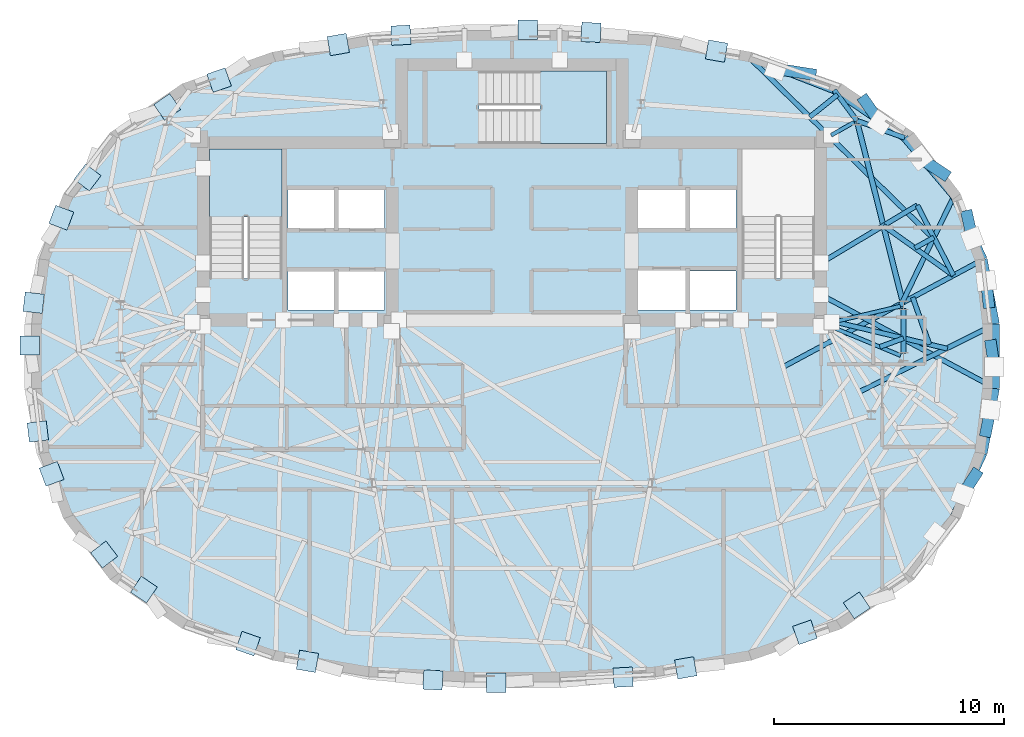
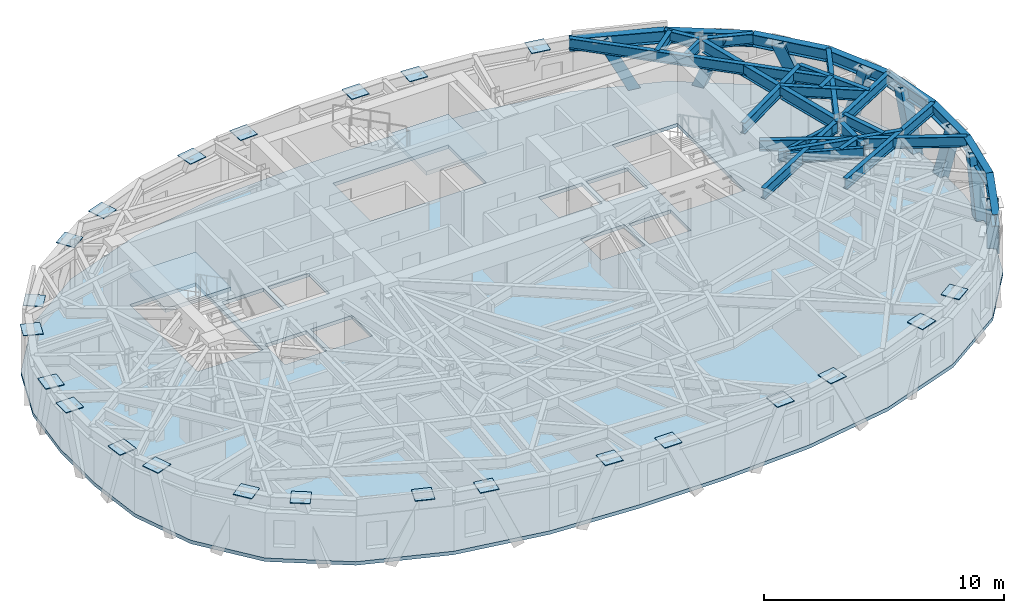
# One storey, part 4 of 12: 28 beams, 23 plates, 8 members, 3 slabs, 2 elements without a shape of their own.
"""IFC4 building model written with IfcOpenShell, lengths in metres."""

from ifc_helpers import new_model, si_unit, direction, frame, origin, origin_2d, place, context, subcontext, project, spatial, polyline, rectangle, hollow_rectangle, i_section, outline, extrude, material, layer, layer_set, material_profile, profile_set, type_object, element, aggregate, save


model = new_model("IFC4")

# Units and contexts
model_context = context("Model", 3, precision=1e-05, world=origin(), true_north=direction((0.0, 1.0)))
body_context = subcontext(model_context, "Body", "Model", "MODEL_VIEW")
ifc_project = project(units=[si_unit("LENGTHUNIT", "METRE"), si_unit("AREAUNIT", "SQUARE_METRE"), si_unit("VOLUMEUNIT", "CUBIC_METRE"), si_unit("PLANEANGLEUNIT", "RADIAN"), si_unit("MASSUNIT", "GRAM", prefix="KILO")], contexts=[model_context])

# Site, building, storey
site_placement = place(None, origin())
site = spatial("IfcSite", under=ifc_project, at=site_placement, CompositionType="ELEMENT")
building_placement = place(site_placement, origin())
building = spatial("IfcBuilding", under=site, at=building_placement, Name="Keldmark Tower", CompositionType="ELEMENT")
storey_placement = place(building_placement, frame((0.0, 0.0, 257.25)))
storey = spatial("IfcBuildingStorey", under=building, at=storey_placement, Name="L73", CompositionType="ELEMENT", Elevation=257.25)

# Members
ifc_material_1 = material(Name="Steel ASTM A572 Grade 50", Category="steel")
ifc_material_profile_1 = material_profile(ifc_material_1, hollow_rectangle(XDim=0.5, YDim=0.5, WallThickness=0.030029296875, at=origin_2d()), Name="BOX500X500X30")
ifc_profile_set_1 = profile_set([ifc_material_profile_1], Name="Steel ASTM A572 Grade 50")
member_type = type_object("IfcMemberType", Name="Diagrid Upper Brace BOX500X500X30", PredefinedType="BRACE", material=ifc_profile_set_1)
member_1_placement = place(storey_placement, frame((20.7216796875, 2.333740234375, -0.260009765625), z_axis=(-0.031693700324, 0.292463690284, 0.95575127477), x_axis=(-0.994179406341, -0.107737217371, 0.0)))
element("IfcMember", 1, at=member_1_placement, inside=storey, type_object=member_type, Name="L73 Perimeter Diagrid Brace 01A", PredefinedType="BRACE", context=body_context, shape_type="SweptSolid", body=[
    extrude(hollow_rectangle(XDim=0.5, YDim=0.5, WallThickness=0.030029296875, at=origin_2d()), origin(), (0.0, 0.0, 1.0), 3.212158203125),
])
member_2_placement = place(storey_placement, frame((19.798095703125, 6.10400390625, -0.260009765625), z_axis=(0.068042175287, -0.305849955509, 0.94964523223), x_axis=(0.976135993374, 0.217160130872, 0.0)))
element("IfcMember", 2, at=member_2_placement, inside=storey, type_object=member_type, Name="L73 Perimeter Diagrid Brace 01B", PredefinedType="BRACE", context=body_context, shape_type="SweptSolid", body=[
    extrude(hollow_rectangle(XDim=0.5, YDim=0.5, WallThickness=0.030029296875, at=origin_2d()), origin(), (0.0, 0.0, 1.0), 3.23291015625),
])
member_3_placement = place(storey_placement, frame((18.7744140625, 7.924560546875, -0.260009765625), z_axis=(-0.313342257476, 0.211373501225, 0.92581740784), x_axis=(-0.559231961887, -0.829011225982, 0.0)))
element("IfcMember", 3, at=member_3_placement, inside=storey, type_object=member_type, Name="L73 Perimeter Diagrid Brace 02A", PredefinedType="BRACE", context=body_context, shape_type="SweptSolid", body=[
    extrude(hollow_rectangle(XDim=0.5, YDim=0.5, WallThickness=0.030029296875, at=origin_2d()), origin(), (0.0, 0.0, 1.0), 3.316162109375),
])
member_4_placement = place(storey_placement, frame((15.33984375, 11.101806640625, -0.260009765625), z_axis=(0.202642190584, -0.289531353066, 0.935471933404), x_axis=(0.819271475881, 0.573405832554, 0.0)))
element("IfcMember", 4, at=member_4_placement, inside=storey, type_object=member_type, Name="L73 Perimeter Diagrid Brace 02B", PredefinedType="BRACE", context=body_context, shape_type="SweptSolid", body=[
    extrude(hollow_rectangle(XDim=0.5, YDim=0.5, WallThickness=0.030029296875, at=origin_2d()), origin(), (0.0, 0.0, 1.0), 3.28173828125),
])
member_5_placement = place(storey_placement, frame((12.997802734375, 12.260009765625, -0.260009765625), z_axis=(-0.441774143547, 0.069491762719, 0.894430825166), x_axis=(-0.155390830828, -0.987853070904, 0.0)))
element("IfcMember", 5, at=member_5_placement, inside=storey, type_object=member_type, Name="L73 Perimeter Diagrid Brace 03A", PredefinedType="BRACE", context=body_context, shape_type="SweptSolid", body=[
    extrude(hollow_rectangle(XDim=0.5, YDim=0.5, WallThickness=0.030029296875, at=origin_2d()), origin(), (0.0, 0.0, 1.0), 3.432373046875),
])
member_6_placement = place(storey_placement, frame((20.155029296875, -5.146484375, -0.260009765625), z_axis=(-0.172667779922, -0.269699237399, 0.947337405111), x_axis=(0.842185942645, -0.539187201269, 0.0)))
element("IfcMember", 6, at=member_6_placement, inside=storey, type_object=member_type, Name="L73 Perimeter Diagrid Brace 15B", PredefinedType="BRACE", context=body_context, shape_type="SweptSolid", body=[
    extrude(hollow_rectangle(XDim=0.5, YDim=0.5, WallThickness=0.030029296875, at=origin_2d()), origin(), (0.0, 0.0, 1.0), 3.24072265625),
])
member_7_placement = place(storey_placement, frame((20.613525390625, -3.2666015625, -0.260009765625), z_axis=(0.057756132791, 0.292954891684, 0.954380249462), x_axis=(-0.981114667834, 0.193427010938, 0.0)))
element("IfcMember", 7, at=member_7_placement, inside=storey, type_object=member_type, Name="L73 Perimeter Diagrid Brace 16A", PredefinedType="BRACE", context=body_context, shape_type="SweptSolid", body=[
    extrude(hollow_rectangle(XDim=0.5, YDim=0.5, WallThickness=0.030029296875, at=origin_2d()), origin(), (0.0, 0.0, 1.0), 3.216796875),
])
member_8_placement = place(storey_placement, frame((20.832275390625, 0.470947265625, -0.260009765625), z_axis=(0.044087065095, -0.290518556542, 0.955853178577), x_axis=(0.98868064606, 0.150035262877, 0.0)))
element("IfcMember", 8, at=member_8_placement, inside=storey, type_object=member_type, Name="L73 Perimeter Diagrid Brace 16B", PredefinedType="BRACE", context=body_context, shape_type="SweptSolid", body=[
    extrude(hollow_rectangle(XDim=0.5, YDim=0.5, WallThickness=0.030029296875, at=origin_2d()), origin(), (0.0, 0.0, 1.0), 3.2119140625),
])

# Beams
ifc_material_2 = material(Name="Steel ASTM A992 Grade 50", Category="steel")
ifc_material_profile_2 = material_profile(ifc_material_2, i_section(OverallWidth=0.22802734375, OverallDepth=0.60302734375, WebThickness=0.010498046875, FlangeThickness=0.014892578125, at=origin_2d()), Name="W24X68")
ifc_profile_set_2 = profile_set([ifc_material_profile_2], Name="Steel ASTM A992 Grade 50")
beam_type_1 = type_object("IfcBeamType", Name="Primary Floor Girder W24X68", PredefinedType="BEAM", material=ifc_profile_set_2)
beam_1_placement = place(storey_placement, frame((16.9912109375, 2.34375, 2.62841796875), z_axis=(-0.244902129455, 0.969547805417, 0.0), x_axis=(-0.969547805417, -0.244902129455, 0.0)))
element("IfcBeam", 9, at=beam_1_placement, inside=storey, type_object=beam_type_1, Name="L73 Floor Ring Girder FG-R01", PredefinedType="BEAM", context=body_context, shape_type="SweptSolid", body=[
    extrude(i_section(OverallWidth=0.22802734375, OverallDepth=0.60302734375, WebThickness=0.010498046875, FlangeThickness=0.014892578125, at=origin_2d()), origin(), (0.0, 0.0, 1.0), 8.008056640625),
])
beam_2_placement = place(storey_placement, frame((17.025634765625, 0.115966796875, 2.62841796875), z_axis=(0.0, 1.0, 0.0), x_axis=(-1.0, 0.0, 0.0)))
element("IfcBeam", 10, at=beam_2_placement, inside=storey, type_object=beam_type_1, Name="L73 Floor Ring Girder FG-R12", PredefinedType="BEAM", context=body_context, shape_type="SweptSolid", body=[
    extrude(i_section(OverallWidth=0.22802734375, OverallDepth=0.60302734375, WebThickness=0.010498046875, FlangeThickness=0.014892578125, at=origin_2d()), origin(), (0.0, 0.0, 1.0), 1.9521484375),
])
ifc_material_3 = material(Name="Steel ASTM A992 Grade 50", Category="steel")
ifc_material_profile_3 = material_profile(ifc_material_3, i_section(OverallWidth=0.166015625, OverallDepth=0.529052734375, WebThickness=0.009765625, FlangeThickness=0.013671875, at=origin_2d()), Name="W21X50")
ifc_profile_set_3 = profile_set([ifc_material_profile_3], Name="Steel ASTM A992 Grade 50")
beam_type_2 = type_object("IfcBeamType", Name="Radial Tie Girder W21X50", PredefinedType="BEAM", material=ifc_profile_set_3)
beam_3_placement = place(storey_placement, frame((16.889404296875, 2.17578125, 2.66552734375), z_axis=(-0.97329039005, -0.229577474147, 0.0), x_axis=(0.229577474147, -0.97329039005, 0.0)))
element("IfcBeam", 11, at=beam_3_placement, inside=storey, type_object=beam_type_2, Name="L73 Floor Radial Girder FG-C01", PredefinedType="BEAM", context=body_context, shape_type="SweptSolid", body=[
    extrude(i_section(OverallWidth=0.166015625, OverallDepth=0.529052734375, WebThickness=0.009765625, FlangeThickness=0.013671875, at=origin_2d()), origin(), (0.0, 0.0, 1.0), 3.0595703125),
])
beam_4_placement = place(storey_placement, frame((14.8740234375, 10.174560546875, 2.66552734375), z_axis=(-0.869238046195, -0.494393789451, 0.0), x_axis=(0.494393789451, -0.869238046195, 0.0)))
element("IfcBeam", 12, at=beam_4_placement, inside=storey, type_object=beam_type_2, Name="L73 Floor Radial Girder FG-C02", PredefinedType="BEAM", context=body_context, shape_type="SweptSolid", body=[
    extrude(i_section(OverallWidth=0.166015625, OverallDepth=0.529052734375, WebThickness=0.009765625, FlangeThickness=0.013671875, at=origin_2d()), origin(), (0.0, 0.0, 1.0), 1.145751953125),
])
beam_5_placement = place(storey_placement, frame((16.896240234375, 0.02978515625, 2.66552734375), z_axis=(-0.923403331902, 0.383831065226, 0.0), x_axis=(-0.383831065226, -0.923403331902, 0.0)))
element("IfcBeam", 13, at=beam_5_placement, inside=storey, type_object=beam_type_2, Name="L73 Floor Radial Girder FG-C12", PredefinedType="BEAM", context=body_context, shape_type="SweptSolid", body=[
    extrude(i_section(OverallWidth=0.166015625, OverallDepth=0.529052734375, WebThickness=0.009765625, FlangeThickness=0.013671875, at=origin_2d()), origin(), (0.0, 0.0, 1.0), 3.249755859375),
])
ifc_material_4 = material(Name="Steel ASTM A992 Grade 50", Category="steel")
ifc_material_profile_4 = material_profile(ifc_material_4, i_section(OverallWidth=0.2099609375, OverallDepth=0.537109375, WebThickness=0.010986328125, FlangeThickness=0.017333984375, at=origin_2d()), Name="W21X68")
ifc_profile_set_4 = profile_set([ifc_material_profile_4], Name="Steel ASTM A992 Grade 50")
beam_type_3 = type_object("IfcBeamType", Name="Radial Tie Girder W21X68", PredefinedType="BEAM", material=ifc_profile_set_4)
beam_6_placement = place(storey_placement, frame((15.99609375, 0.40380859375, 2.66162109375), z_axis=(0.938677111018, 0.344797449601, 0.0), x_axis=(-0.344797449601, 0.938677111018, 0.0)))
element("IfcBeam", 14, at=beam_6_placement, inside=storey, type_object=beam_type_3, Name="L73 Framing Pin Header PH-006", PredefinedType="BEAM", context=body_context, shape_type="SweptSolid", body=[
    extrude(i_section(OverallWidth=0.2099609375, OverallDepth=0.537109375, WebThickness=0.010986328125, FlangeThickness=0.017333984375, at=origin_2d()), origin(), (0.0, 0.0, 1.0), 1.0966796875),
])
beam_7_placement = place(storey_placement, frame((13.699951171875, 1.574951171875, 2.66162109375), z_axis=(0.972724848006, -0.231962001353, 0.0), x_axis=(0.231962001353, 0.972724848006, 0.0)))
element("IfcBeam", 15, at=beam_7_placement, inside=storey, type_object=beam_type_3, Name="L73 Sub-Ring Step Girder STP1-M12", PredefinedType="BEAM", context=body_context, shape_type="SweptSolid", body=[
    extrude(i_section(OverallWidth=0.2099609375, OverallDepth=0.537109375, WebThickness=0.010986328125, FlangeThickness=0.017333984375, at=origin_2d()), origin(), (0.0, 0.0, 1.0), 5.38037109375),
])
beam_8_placement = place(storey_placement, frame((15.100830078125, -1.55322265625, 2.66162109375), z_axis=(0.894964237533, 0.446137886238, 0.0), x_axis=(-0.446137886238, 0.894964237533, 0.0)))
element("IfcBeam", 16, at=beam_8_placement, inside=storey, type_object=beam_type_3, Name="L73 Perimeter Radial Tie Girder RT-01", PredefinedType="BEAM", context=body_context, shape_type="SweptSolid", body=[
    extrude(i_section(OverallWidth=0.2099609375, OverallDepth=0.537109375, WebThickness=0.010986328125, FlangeThickness=0.017333984375, at=origin_2d()), origin(), (0.0, 0.0, 1.0), 6.629150390625),
])
beam_9_placement = place(storey_placement, frame((18.148681640625, 0.513916015625, 2.66162109375), z_axis=(-0.333842980697, 0.942628699032, 0.0), x_axis=(-0.942628699032, -0.333842980697, 0.0)))
element("IfcBeam", 17, at=beam_9_placement, inside=storey, type_object=beam_type_3, Name="L73 Framing Pin Header PH-012", PredefinedType="BEAM", context=body_context, shape_type="SweptSolid", body=[
    extrude(i_section(OverallWidth=0.2099609375, OverallDepth=0.537109375, WebThickness=0.010986328125, FlangeThickness=0.017333984375, at=origin_2d()), origin(), (0.0, 0.0, 1.0), 2.171875),
])
beam_10_placement = place(storey_placement, frame((11.785888671875, -0.469482421875, 2.66162109375), z_axis=(0.88079726113, 0.473493595296, 0.0), x_axis=(-0.473493595296, 0.88079726113, 0.0)))
element("IfcBeam", 18, at=beam_10_placement, inside=storey, type_object=beam_type_3, Name="L73 Perimeter Radial Tie Girder RT-02", PredefinedType="BEAM", context=body_context, shape_type="SweptSolid", body=[
    extrude(i_section(OverallWidth=0.2099609375, OverallDepth=0.537109375, WebThickness=0.010986328125, FlangeThickness=0.017333984375, at=origin_2d()), origin(), (0.0, 0.0, 1.0), 9.896240234375),
])
beam_11_placement = place(storey_placement, frame((19.195068359375, 3.513427734375, 2.66162109375), z_axis=(-0.815024555975, 0.579426417379, 0.0), x_axis=(-0.579426417379, -0.815024555975, 0.0)))
element("IfcBeam", 19, at=beam_11_placement, inside=storey, type_object=beam_type_3, Name="L73 Framing Pin Header PH-013", PredefinedType="BEAM", context=body_context, shape_type="SweptSolid", body=[
    extrude(i_section(OverallWidth=0.2099609375, OverallDepth=0.537109375, WebThickness=0.010986328125, FlangeThickness=0.017333984375, at=origin_2d()), origin(), (0.0, 0.0, 1.0), 3.73779296875),
])
beam_12_placement = place(storey_placement, frame((13.425048828125, 4.050048828125, 2.66162109375), z_axis=(0.858209670576, 0.513299290209, 0.0), x_axis=(-0.513299290209, 0.858209670576, 0.0)))
element("IfcBeam", 20, at=beam_12_placement, inside=storey, type_object=beam_type_3, Name="L73 Intermediate Radial Step Girder RT-03M", PredefinedType="BEAM", context=body_context, shape_type="SweptSolid", body=[
    extrude(i_section(OverallWidth=0.2099609375, OverallDepth=0.537109375, WebThickness=0.010986328125, FlangeThickness=0.017333984375, at=origin_2d()), origin(), (0.0, 0.0, 1.0), 4.893310546875),
])
beam_13_placement = place(storey_placement, frame((19.195068359375, 3.513427734375, 2.66162109375), z_axis=(-0.458002623504, 0.888950840521, 0.0), x_axis=(-0.888950840521, -0.458002623504, 0.0)))
element("IfcBeam", 21, at=beam_13_placement, inside=storey, type_object=beam_type_3, Name="L73 Local Collector Chord RT-03C", PredefinedType="BEAM", context=body_context, shape_type="SweptSolid", body=[
    extrude(i_section(OverallWidth=0.2099609375, OverallDepth=0.537109375, WebThickness=0.010986328125, FlangeThickness=0.017333984375, at=origin_2d()), origin(), (0.0, 0.0, 1.0), 3.42919921875),
])
beam_14_placement = place(storey_placement, frame((17.51953125, 4.70458984375, 2.66162109375), z_axis=(0.873522437412, 0.48678388566, 0.0), x_axis=(-0.48678388566, 0.873522437412, 0.0)))
element("IfcBeam", 22, at=beam_14_placement, inside=storey, type_object=beam_type_3, Name="L73 Framing Pin Header PH-014", PredefinedType="BEAM", context=body_context, shape_type="SweptSolid", body=[
    extrude(i_section(OverallWidth=0.2099609375, OverallDepth=0.537109375, WebThickness=0.010986328125, FlangeThickness=0.017333984375, at=origin_2d()), origin(), (0.0, 0.0, 1.0), 0.9443359375),
])
beam_15_placement = place(storey_placement, frame((16.889404296875, 2.17578125, 2.66162109375), z_axis=(0.43778421211, 0.899080076315, 0.0), x_axis=(-0.899080076315, 0.43778421211, 0.0)))
element("IfcBeam", 23, at=beam_15_placement, inside=storey, type_object=beam_type_3, Name="L73 Perimeter Radial Tie Girder RT-03", PredefinedType="BEAM", context=body_context, shape_type="SweptSolid", body=[
    extrude(i_section(OverallWidth=0.2099609375, OverallDepth=0.537109375, WebThickness=0.010986328125, FlangeThickness=0.017333984375, at=origin_2d()), origin(), (0.0, 0.0, 1.0), 5.326904296875),
])
beam_16_placement = place(storey_placement, frame((14.995849609375, 10.24365234375, 2.66162109375), z_axis=(0.941136898185, -0.338025648249, 0.0), x_axis=(0.338025648249, 0.941136898185, 0.0)))
element("IfcBeam", 24, at=beam_16_placement, inside=storey, type_object=beam_type_3, Name="L73 Perimeter Column Bracket RT-04", PredefinedType="BEAM", context=body_context, shape_type="SweptSolid", body=[
    extrude(i_section(OverallWidth=0.2099609375, OverallDepth=0.537109375, WebThickness=0.010986328125, FlangeThickness=0.017333984375, at=origin_2d()), origin(), (0.0, 0.0, 1.0), 2.205810546875),
])
beam_17_placement = place(storey_placement, frame((14.995849609375, 10.24365234375, 2.66162109375), z_axis=(-0.595410994043, 0.803421276898, 0.0), x_axis=(-0.803421276898, -0.595410994043, 0.0)))
element("IfcBeam", 25, at=beam_17_placement, inside=storey, type_object=beam_type_3, Name="L73 Perimeter Column Bracket RT-05", PredefinedType="BEAM", context=body_context, shape_type="SweptSolid", body=[
    extrude(i_section(OverallWidth=0.2099609375, OverallDepth=0.537109375, WebThickness=0.010986328125, FlangeThickness=0.017333984375, at=origin_2d()), origin(), (0.0, 0.0, 1.0), 1.655029296875),
])
beam_18_placement = place(storey_placement, frame((14.158203125, 11.373779296875, 2.66162109375), z_axis=(-0.779052949743, -0.626958133767, 0.0), x_axis=(0.626958133767, -0.779052949743, 0.0)))
element("IfcBeam", 26, at=beam_18_placement, inside=storey, type_object=beam_type_3, Name="L73 Framing Pin Header PH-015", PredefinedType="BEAM", context=body_context, shape_type="SweptSolid", body=[
    extrude(i_section(OverallWidth=0.2099609375, OverallDepth=0.537109375, WebThickness=0.010986328125, FlangeThickness=0.017333984375, at=origin_2d()), origin(), (0.0, 0.0, 1.0), 1.550537109375),
])
beam_19_placement = place(storey_placement, frame((18.409912109375, 5.03759765625, 2.66162109375), z_axis=(-0.713329672788, 0.70082863663, 0.0), x_axis=(-0.70082863663, -0.713329672788, 0.0)))
element("IfcBeam", 27, at=beam_19_placement, inside=storey, type_object=beam_type_3, Name="L73 Perimeter Radial Tie Girder RT-06", PredefinedType="BEAM", context=body_context, shape_type="SweptSolid", body=[
    extrude(i_section(OverallWidth=0.2099609375, OverallDepth=0.537109375, WebThickness=0.010986328125, FlangeThickness=0.017333984375, at=origin_2d()), origin(), (0.0, 0.0, 1.0), 11.4052734375),
])
beam_20_placement = place(storey_placement, frame((13.425048828125, 2.675048828125, 2.66162109375), z_axis=(0.881321427907, -0.472517238534, 0.0), x_axis=(0.472517238534, 0.881321427907, 0.0)))
element("IfcBeam", 28, at=beam_20_placement, inside=storey, type_object=beam_type_3, Name="L73 Perimeter Radial Tie Girder RT-32", PredefinedType="BEAM", context=body_context, shape_type="SweptSolid", body=[
    extrude(i_section(OverallWidth=0.2099609375, OverallDepth=0.537109375, WebThickness=0.010986328125, FlangeThickness=0.017333984375, at=origin_2d()), origin(), (0.0, 0.0, 1.0), 8.63330078125),
])
ifc_material_5 = material(Name="Steel ASTM A992 Grade 50", Category="steel")
ifc_material_profile_5 = material_profile(ifc_material_5, i_section(OverallWidth=0.326904296875, OverallDepth=0.6220703125, WebThickness=0.015380859375, FlangeThickness=0.0244140625, at=origin_2d()), Name="W24X131")
ifc_profile_set_5 = profile_set([ifc_material_profile_5], Name="Steel ASTM A992 Grade 50")
beam_type_4 = type_object("IfcBeamType", Name="Spandrel Ring Beam W24X131", PredefinedType="SPANDREL", material=ifc_profile_set_5)
beam_21_placement = place(storey_placement, frame((21.03369140625, 1.404296875, 2.618896484375), z_axis=(-0.185637893188, 0.982618223224, 0.0), x_axis=(-0.982618223224, -0.185637893188, 0.0)))
element("IfcBeam", 29, at=beam_21_placement, inside=storey, type_object=beam_type_4, Name="L73 Perimeter Spandrel Ring Beam SRB-01", PredefinedType="SPANDREL", context=body_context, shape_type="SweptSolid", body=[
    extrude(i_section(OverallWidth=0.326904296875, OverallDepth=0.6220703125, WebThickness=0.015380859375, FlangeThickness=0.0244140625, at=origin_2d()), origin(), (0.0, 0.0, 1.0), 2.86181640625),
])
beam_22_placement = place(storey_placement, frame((20.50244140625, 4.21630859375, 2.618896484375), z_axis=(-0.422409428873, 0.906405138114, 0.0), x_axis=(-0.906405138114, -0.422409428873, 0.0)))
element("IfcBeam", 30, at=beam_22_placement, inside=storey, type_object=beam_type_4, Name="L73 Perimeter Spandrel Ring Beam SRB-02", PredefinedType="SPANDREL", context=body_context, shape_type="SweptSolid", body=[
    extrude(i_section(OverallWidth=0.326904296875, OverallDepth=0.6220703125, WebThickness=0.015380859375, FlangeThickness=0.0244140625, at=origin_2d()), origin(), (0.0, 0.0, 1.0), 3.03271484375),
])
beam_23_placement = place(storey_placement, frame((19.221435546875, 6.965087890625, 2.618896484375), z_axis=(-0.647061604266, 0.762437722233, 0.0), x_axis=(-0.762437722233, -0.647061604266, 0.0)))
element("IfcBeam", 31, at=beam_23_placement, inside=storey, type_object=beam_type_4, Name="L73 Perimeter Spandrel Ring Beam SRB-03", PredefinedType="SPANDREL", context=body_context, shape_type="SweptSolid", body=[
    extrude(i_section(OverallWidth=0.326904296875, OverallDepth=0.6220703125, WebThickness=0.015380859375, FlangeThickness=0.0244140625, at=origin_2d()), origin(), (0.0, 0.0, 1.0), 3.322265625),
])
beam_24_placement = place(storey_placement, frame((17.07177734375, 9.498046875, 2.618896484375), z_axis=(-0.827739678134, 0.561112310721, 0.0), x_axis=(-0.561112310721, -0.827739678134, 0.0)))
element("IfcBeam", 32, at=beam_24_placement, inside=storey, type_object=beam_type_4, Name="L73 Perimeter Spandrel Ring Beam SRB-04", PredefinedType="SPANDREL", context=body_context, shape_type="SweptSolid", body=[
    extrude(i_section(OverallWidth=0.326904296875, OverallDepth=0.6220703125, WebThickness=0.015380859375, FlangeThickness=0.0244140625, at=origin_2d()), origin(), (0.0, 0.0, 1.0), 3.6982421875),
])
beam_25_placement = place(storey_placement, frame((14.010498046875, 11.5732421875, 2.618896484375), z_axis=(-0.931624878208, 0.363421361925, 0.0), x_axis=(-0.363421361925, -0.931624878208, 0.0)))
element("IfcBeam", 33, at=beam_25_placement, inside=storey, type_object=beam_type_4, Name="L73 Perimeter Spandrel Ring Beam SRB-05", PredefinedType="SPANDREL", context=body_context, shape_type="SweptSolid", body=[
    extrude(i_section(OverallWidth=0.326904296875, OverallDepth=0.6220703125, WebThickness=0.015380859375, FlangeThickness=0.0244140625, at=origin_2d()), origin(), (0.0, 0.0, 1.0), 4.010498046875),
])
beam_26_placement = place(storey_placement, frame((19.221435546875, -6.965087890625, 2.618896484375), z_axis=(0.422409428873, 0.906405138114, 0.0), x_axis=(-0.906405138114, 0.422409428873, 0.0)))
element("IfcBeam", 34, at=beam_26_placement, inside=storey, type_object=beam_type_4, Name="L73 Perimeter Spandrel Ring Beam SRB-30", PredefinedType="SPANDREL", context=body_context, shape_type="SweptSolid", body=[
    extrude(i_section(OverallWidth=0.326904296875, OverallDepth=0.6220703125, WebThickness=0.015380859375, FlangeThickness=0.0244140625, at=origin_2d()), origin(), (0.0, 0.0, 1.0), 3.03271484375),
])
beam_27_placement = place(storey_placement, frame((20.50244140625, -4.21630859375, 2.618896484375), z_axis=(0.185637893188, 0.982618223224, 0.0), x_axis=(-0.982618223224, 0.185637893188, 0.0)))
element("IfcBeam", 35, at=beam_27_placement, inside=storey, type_object=beam_type_4, Name="L73 Perimeter Spandrel Ring Beam SRB-31", PredefinedType="SPANDREL", context=body_context, shape_type="SweptSolid", body=[
    extrude(i_section(OverallWidth=0.326904296875, OverallDepth=0.6220703125, WebThickness=0.015380859375, FlangeThickness=0.0244140625, at=origin_2d()), origin(), (0.0, 0.0, 1.0), 2.86181640625),
])
beam_28_placement = place(storey_placement, frame((21.03369140625, -1.404296875, 2.618896484375), z_axis=(0.0, 1.0, 0.0), x_axis=(-1.0, 0.0, 0.0)))
element("IfcBeam", 36, at=beam_28_placement, inside=storey, type_object=beam_type_4, Name="L73 Perimeter Spandrel Ring Beam SRB-32", PredefinedType="SPANDREL", context=body_context, shape_type="SweptSolid", body=[
    extrude(i_section(OverallWidth=0.326904296875, OverallDepth=0.6220703125, WebThickness=0.015380859375, FlangeThickness=0.0244140625, at=origin_2d()), origin(), (0.0, 0.0, 1.0), 2.80859375),
])

# Plates
ifc_material_6 = material(Name="Steel ASTM A572 Grade 50", Category="steel")
ifc_layer_1 = layer(ifc_material_6, 0.034912109375)
ifc_layer_set_1 = layer_set([ifc_layer_1], Name="Steel ASTM A572 Grade 50")
plate_type = type_object("IfcPlateType", Name="Diagrid Node Assembly DN06 35 mm", PredefinedType="USERDEFINED", material=ifc_layer_set_1)
for number, where, z_axis, x_axis, name in (
    (37, (8.894287109375, 13.267333984375, 2.79248046875), (0.0, 0.0, 1.0), (-0.985674047132, 0.168661414708, 0.0), "L73 Diagrid Node Assembly 06"),
    (38, (3.436767578125, 14.081787109375, 2.79248046875), (0.0, 0.0, 1.0), (-0.998555486558, 0.053730254645, 0.0), "L73 Diagrid Node Assembly 07"),
    (39, (0.6845703125, 14.199462890625, 2.79248046875), (0.0, 0.0, 1.0), (-1.0, 0.0, 0.0), "L73 Diagrid Node Assembly 08"),
    (40, (-4.830810546875, 13.95947265625, 2.79248046875), (0.0, 0.0, 1.0), (-0.998555486558, -0.053730254645, 0.0), "L73 Diagrid Node Assembly 09"),
    (41, (-7.5537109375, 13.55224609375, 2.79248046875), (0.0, 0.0, 1.0), (-0.985674047132, -0.168661414708, 0.0), "L73 Diagrid Node Assembly 10"),
    (42, (-12.73681640625, 12.006103515625, 2.79248046875), (0.0, 0.0, 1.0), (-0.943569979028, -0.331173209479, 0.0), "L73 Diagrid Node Assembly 11"),
    (43, (-14.99267578125, 10.835205078125, 2.79248046875), (0.0, 0.0, 1.0), (-0.827668733006, -0.561216953062, 0.0), "L73 Diagrid Node Assembly 12"),
    (44, (-18.45849609375, 7.771240234375, 2.79248046875), (0.0, 0.0, 1.0), (-0.606821085724, -0.794838455235, 0.0), "L73 Diagrid Node Assembly 13"),
    (45, (-19.595458984375, 6.0205078125, 2.79248046875), (0.0, 0.0, 1.0), (-0.34906275922, -0.937099349122, 0.0), "L73 Diagrid Node Assembly 14"),
    (46, (-20.79931640625, 2.32421875, 2.79248046875), (0.0, 0.0, 1.0), (-0.116324048041, -0.9932113148, 0.0), "L73 Diagrid Node Assembly 15"),
    (47, (-20.973876953125, 0.462158203125, 2.79248046875), (0.0, 0.0, 1.0), (0.0, -1.0, 0.0), "L73 Diagrid Node Assembly 16"),
    (48, (-20.619873046875, -3.273193359375, 2.79248046875), (0.0, 0.0, 1.0), (0.116324048041, -0.9932113148, 0.0), "L73 Diagrid Node Assembly 17"),
    (49, (-20.01806640625, -5.115234375, 2.79248046875), (0.0, 0.0, 1.0), (0.34906275922, -0.937099349122, 0.0), "L73 Diagrid Node Assembly 18"),
    (50, (-17.7353515625, -8.62548828125, 2.79248046875), (0.0, 0.0, 1.0), (0.606821085724, -0.794838455235, 0.0), "L73 Diagrid Node Assembly 19"),
    (51, (-16.0048828125, -10.151611328125, 2.79248046875), (0.0, 0.0, 1.0), (0.827668733006, -0.561216953062, 0.0), "L73 Diagrid Node Assembly 20"),
    (52, (-11.4814453125, -12.49853515625, 2.79248046875), (0.0, 0.0, 1.0), (0.943569979028, -0.331173209479, 0.0), "L73 Diagrid Node Assembly 21"),
    (53, (-8.894287109375, -13.267333984375, 2.79248046875), (0.0, 0.0, 1.0), (0.985674047132, -0.168661414708, 0.0), "L73 Diagrid Node Assembly 22"),
    (54, (-3.436767578125, -14.081787109375, 2.79248046875), (0.0, 0.0, 1.0), (0.998555486558, -0.053730254645, 0.0), "L73 Diagrid Node Assembly 23"),
    (55, (-0.6845703125, -14.199462890625, 2.79248046875), (0.0, 0.0, 1.0), (1.0, 0.0, 0.0), "L73 Diagrid Node Assembly 24"),
    (56, (4.830810546875, -13.95947265625, 2.79248046875), (0.0, 0.0, 1.0), (0.998555486558, 0.053730254645, 0.0), "L73 Diagrid Node Assembly 25"),
    (57, (7.5537109375, -13.55224609375, 2.79248046875), (0.0, 0.0, 1.0), (0.985674047132, 0.168661414708, 0.0), "L73 Diagrid Node Assembly 26"),
    (58, (12.73681640625, -12.006103515625, 2.79248046875), (0.0, 0.0, 1.0), (0.943569979028, 0.331173209479, 0.0), "L73 Diagrid Node Assembly 27"),
    (59, (14.99267578125, -10.835205078125, 2.79248046875), (0.0, 0.0, 1.0), (0.827668733006, 0.561216953062, 0.0), "L73 Diagrid Node Assembly 28"),
):
    element("IfcPlate", number, at=place(storey_placement, frame(where, z_axis=z_axis, x_axis=x_axis)), inside=storey, type_object=plate_type, Name=name, ObjectType="GUSSET", PredefinedType="USERDEFINED", context=body_context, shape_type="SweptSolid", body=[
        extrude(rectangle(XDim=0.840087890625, YDim=0.840087890625, at=origin_2d()), origin(), (0.0, 0.0, 1.0), 0.034912109375),
    ])

# Slab
ifc_material_7 = material(Name="Concrete C35/45", Category="concrete")
ifc_layer_2 = layer(ifc_material_7, 0.179931640625)
ifc_layer_set_2 = layer_set([ifc_layer_2], Name="Concrete C35/45")
slab_type_1 = type_object("IfcSlabType", Name="Hotel and Residential Slab 180 mm", PredefinedType="FLOOR", material=ifc_layer_set_2)
slab_1_placement = place(storey_placement, frame((0.0, 0.0, -0.179931640625)))
element("IfcSlab", 60, at=slab_1_placement, inside=storey, type_object=slab_type_1, Name="L73 Composite Structural Floor Slab", PredefinedType="FLOOR", context=body_context, shape_type="SweptSolid", body=[
    extrude(outline(polyline([(20.89208984375, 1.39501953125), (20.560302734375, 4.228515625), (19.503173828125, 7.067626953125), (17.475341796875, 9.723388671875), (14.341796875, 11.847900390625), (10.4248046875, 13.222900390625), (6.23681640625, 13.939697265625), (2.0576171875, 14.164306640625), (-2.0576171875, 14.164306640625), (-6.23681640625, 13.939697265625), (-10.4248046875, 13.222900390625), (-14.341796875, 11.847900390625), (-17.475341796875, 9.723388671875), (-19.503173828125, 7.067626953125), (-20.560302734375, 4.228515625), (-20.89208984375, 1.39501953125), (-20.89208984375, -1.39501953125), (-20.560302734375, -4.228515625), (-19.503173828125, -7.067626953125), (-17.475341796875, -9.723388671875), (-14.341796875, -11.847900390625), (-10.4248046875, -13.222900390625), (-6.23681640625, -13.939697265625), (-2.0576171875, -14.164306640625), (2.0576171875, -14.164306640625), (6.23681640625, -13.939697265625), (10.4248046875, -13.222900390625), (14.341796875, -11.847900390625), (17.475341796875, -9.723388671875), (19.503173828125, -7.067626953125), (20.560302734375, -4.228515625), (20.89208984375, -1.39501953125), (20.89208984375, 1.39501953125)]), holes=[polyline([(-10.0, 3.385009765625), (-10.0, 9.0), (-13.14990234375, 9.0), (-13.14990234375, 3.385009765625), (-10.0, 3.385009765625)]), polyline([(13.14990234375, 3.385009765625), (13.14990234375, 9.0), (10.0, 9.0), (10.0, 3.385009765625), (13.14990234375, 3.385009765625)]), polyline([(-1.43994140625, 9.25), (4.10498046875, 9.25), (4.10498046875, 12.39990234375), (-1.43994140625, 12.39990234375), (-1.43994140625, 9.25)]), polyline([(-9.75, 2.0), (-7.75, 2.0), (-7.75, 3.699951171875), (-9.75, 3.699951171875), (-9.75, 2.0)]), polyline([(7.75, 2.0), (9.75, 2.0), (9.75, 3.699951171875), (7.75, 3.699951171875), (7.75, 2.0)]), polyline([(5.449951171875, 2.0), (7.550048828125, 2.0), (7.550048828125, 3.75), (5.449951171875, 3.75), (5.449951171875, 2.0)]), polyline([(-9.75, 5.550048828125), (-7.75, 5.550048828125), (-7.75, 7.25), (-9.75, 7.25), (-9.75, 5.550048828125)]), polyline([(-7.550048828125, 5.550048828125), (-5.550048828125, 5.550048828125), (-5.550048828125, 7.25), (-7.550048828125, 7.25), (-7.550048828125, 5.550048828125)]), polyline([(-7.550048828125, 2.0), (-5.550048828125, 2.0), (-5.550048828125, 3.699951171875), (-7.550048828125, 3.699951171875), (-7.550048828125, 2.0)]), polyline([(5.449951171875, 5.550048828125), (7.550048828125, 5.550048828125), (7.550048828125, 7.25), (5.449951171875, 7.25), (5.449951171875, 5.550048828125)]), polyline([(7.75, 5.550048828125), (9.75, 5.550048828125), (9.75, 7.25), (7.75, 7.25), (7.75, 5.550048828125)])]), origin(), (0.0, 0.0, 1.0), 0.179931640625),
])

# Stair, slab
ifc_material_8 = material(Name="Concrete C40/50", Category="concrete")
stair_type = type_object("IfcStairType", Name="Precast Concrete Core Exit Stair", PredefinedType="HALF_TURN_STAIR", material=ifc_material_8)
stair_1_placement = place(storey_placement, origin())
stair_1 = element("IfcStair", 61, at=stair_1_placement, inside=storey, type_object=stair_type, Name="L73 Exit Stair ST1", PredefinedType="HALF_TURN_STAIR")
ifc_material_9 = material(Name="Concrete C40/50", Category="concrete")
ifc_layer_3 = layer(ifc_material_9, 0.199951171875)
ifc_layer_set_3 = layer_set([ifc_layer_3], Name="Concrete C40/50")
slab_type_2 = type_object("IfcSlabType", Name="Reinforced Concrete Stair Landing 200 mm", PredefinedType="LANDING", material=ifc_layer_set_3)
slab_2_placement = place(storey_placement, frame((0.0, 0.0, 1.375)))
slab_2 = element("IfcSlab", 62, at=slab_2_placement, type_object=slab_type_2, Name="ST1 landing 1", PredefinedType="LANDING", context=body_context, shape_type="SweptSolid", body=[
    extrude(outline(polyline([(-10.0, 6.050048828125), (-10.0, 9.0), (-13.14990234375, 9.0), (-13.14990234375, 6.050048828125), (-10.0, 6.050048828125)])), origin(), (0.0, 0.0, 1.0), 0.199951171875),
])
aggregate(stair_1, [slab_2])

stair_2_placement = place(storey_placement, origin())
stair_2 = element("IfcStair", 63, at=stair_2_placement, inside=storey, type_object=stair_type, Name="L73 Exit Stair ST3", PredefinedType="HALF_TURN_STAIR")
slab_3_placement = place(storey_placement, frame((0.0, 0.0, 1.375)))
slab_3 = element("IfcSlab", 64, at=slab_3_placement, type_object=slab_type_2, Name="ST3 landing 1", PredefinedType="LANDING", context=body_context, shape_type="SweptSolid", body=[
    extrude(outline(polyline([(1.22509765625, 9.25), (4.10498046875, 9.25), (4.10498046875, 12.39990234375), (1.22509765625, 12.39990234375), (1.22509765625, 9.25)])), origin(), (0.0, 0.0, 1.0), 0.199951171875),
])
aggregate(stair_2, [slab_3])

save(model, "model.ifc")
